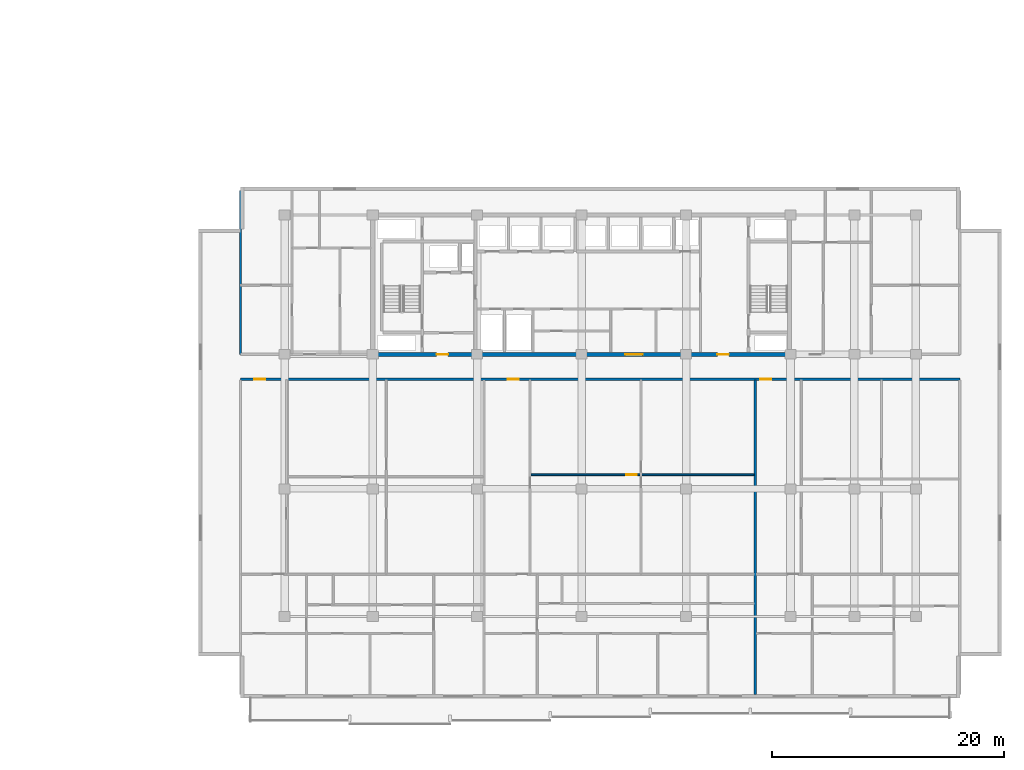
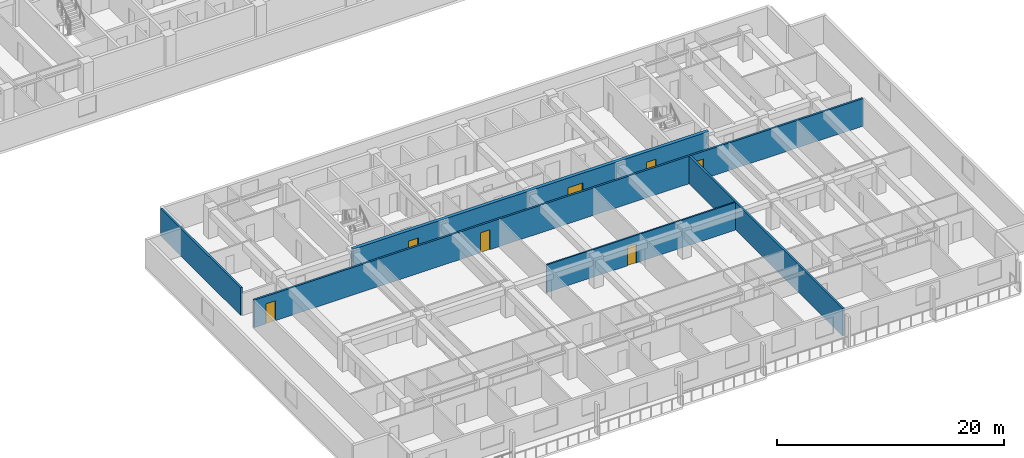
# One storey, part 5 of 23: 7 doors, 5 walls, 7 openings.
"""IFC4 building model written with IfcOpenShell, lengths in metres."""

from ifc_helpers import new_model, si_unit, direction, frame, frame_2d, origin, place, context, subcontext, project, spatial, rectangle, extrude, material, layer, layer_set, type_object, element, fill, save


model = new_model("IFC4")

# Units and contexts
model_context = context("Model", 3, precision=1e-05, world=origin(), true_north=direction((0.0, 1.0)))
body_context = subcontext(model_context, "Body", "Model", "MODEL_VIEW")
ifc_project = project(units=[si_unit("LENGTHUNIT", "METRE"), si_unit("AREAUNIT", "SQUARE_METRE"), si_unit("VOLUMEUNIT", "CUBIC_METRE"), si_unit("PLANEANGLEUNIT", "RADIAN"), si_unit("MASSUNIT", "GRAM", prefix="KILO")], contexts=[model_context])

# Site, building, storey
site_placement = place(None, origin())
site = spatial("IfcSite", under=ifc_project, at=site_placement, CompositionType="ELEMENT")
building_placement = place(site_placement, origin())
building = spatial("IfcBuilding", under=site, at=building_placement, Name="Korimba Cascade Residences", CompositionType="ELEMENT")
storey_placement = place(building_placement, frame((0.0, 0.0, 59.75)))
storey = spatial("IfcBuildingStorey", under=building, at=storey_placement, Name="L16", CompositionType="ELEMENT", Elevation=59.75)

# Wall, openings, doors
ifc_material_1 = material(Name="Concrete C65/80", Category="concrete")
ifc_layer_1 = layer(ifc_material_1, 0.35009765625)
ifc_layer_set_1 = layer_set([ifc_layer_1], Name="Concrete C65/80")
wall_type_1 = type_object("IfcWallType", Name="WAL-CORE-350", PredefinedType="SHEAR", material=ifc_layer_set_1)
wall_1_placement = place(storey_placement, frame((81.925048828125, 18.39990234375, 0.0), z_axis=(0.0, 0.0, 1.0), x_axis=(1.0, 0.0, 0.0)))
wall_1 = element("IfcWall", 1, at=wall_1_placement, inside=storey, type_object=wall_type_1, Name="L16 Core Shear Wall CW-L16-T2-S", PredefinedType="SHEAR", context=body_context, shape_type="SweptSolid", body=[
    extrude(rectangle(XDim=36.264892578125, YDim=0.35009765625, at=frame_2d((18.13232421875, 0.0))), origin(), (0.0, 0.0, 1.0), 3.25),
])
opening_1_placement = place(wall_1_placement, frame((5.675048828125, 0.0, 0.0)))
opening_1 = element("IfcOpeningElement", 2, at=opening_1_placement, cuts=wall_1, Name="Opening D-FD5", PredefinedType="OPENING", context=body_context, shape_type="SweptSolid", body=[
    extrude(rectangle(XDim=1.0, YDim=2.14990234375, at=frame_2d((0.5, 1.074951171875))), frame((0.0, 0.18505859375, 0.0), z_axis=(0.0, -1.0, 0.0), x_axis=(1.0, 0.0, 0.0)), (0.0, 0.0, 1.0), 0.3701171875),
])
opening_2_placement = place(wall_1_placement, frame((21.925048828125, 0.0, 0.0)))
opening_2 = element("IfcOpeningElement", 3, at=opening_2_placement, cuts=wall_1, Name="Opening D-FD8", PredefinedType="OPENING", context=body_context, shape_type="SweptSolid", body=[
    extrude(rectangle(XDim=1.5, YDim=2.199951171875, at=frame_2d((0.75, 1.10009765625))), frame((0.0, 0.18505859375, 0.0), z_axis=(0.0, -1.0, 0.0), x_axis=(1.0, 0.0, 0.0)), (0.0, 0.0, 1.0), 0.3701171875),
])
opening_3_placement = place(wall_1_placement, frame((29.875, 0.0, 0.0)))
opening_3 = element("IfcOpeningElement", 4, at=opening_3_placement, cuts=wall_1, Name="Opening D-FD5", PredefinedType="OPENING", context=body_context, shape_type="SweptSolid", body=[
    extrude(rectangle(XDim=1.0, YDim=2.14990234375, at=frame_2d((0.5, 1.074951171875))), frame((0.0, 0.18505859375, 0.0), z_axis=(0.0, -1.0, 0.0), x_axis=(1.0, 0.0, 0.0)), (0.0, 0.0, 1.0), 0.3701171875),
])
ifc_material_2 = material(Name="Fire-Rated Acoustic Timber Vestibule Door", Category="wood")
door_type_1 = type_object("IfcDoorType", Name="DR-FD90-1000", OperationType="NOTDEFINED", PredefinedType="DOOR", material=ifc_material_2)
door_1_placement = place(opening_1_placement, origin())
door_1 = element("IfcDoor", 5, at=door_1_placement, inside=storey, type_object=door_type_1, Name="L16 T2 West Core Vestibule Fire Door", OperationType="SINGLE_SWING_LEFT", OverallHeight=2.14990234375, OverallWidth=1.0, PredefinedType="DOOR", context=body_context, shape_type="SweptSolid", body=[
    extrude(rectangle(XDim=1.0, YDim=2.14990234375, at=frame_2d((0.5, 1.074951171875))), frame((0.0, 0.02490234375, 0.0), z_axis=(0.0, -1.0, 0.0), x_axis=(1.0, 0.0, 0.0)), (0.0, 0.0, 1.0), 0.050048828125),
])
fill(opening_1, door_1)
door_2_placement = place(opening_3_placement, origin())
door_2 = element("IfcDoor", 6, at=door_2_placement, inside=storey, type_object=door_type_1, Name="L16 T2 East Stair Vestibule Fire Door", OperationType="SINGLE_SWING_RIGHT", OverallHeight=2.14990234375, OverallWidth=1.0, PredefinedType="DOOR", context=body_context, shape_type="SweptSolid", body=[
    extrude(rectangle(XDim=1.0, YDim=2.14990234375, at=frame_2d((0.5, 1.074951171875))), frame((0.0, 0.02490234375, 0.0), z_axis=(0.0, -1.0, 0.0), x_axis=(1.0, 0.0, 0.0)), (0.0, 0.0, 1.0), 0.050048828125),
])
fill(opening_3, door_2)
ifc_material_3 = material(Name="Fire-Rated Glazed Lift Lobby Double Door", Category="glass")
door_type_2 = type_object("IfcDoorType", Name="DR-FD90-1500", OperationType="NOTDEFINED", PredefinedType="DOOR", material=ifc_material_3)
door_3_placement = place(opening_2_placement, origin())
door_3 = element("IfcDoor", 7, at=door_3_placement, inside=storey, type_object=door_type_2, Name="L16 T2 Lift Lobby Fire Door", OperationType="DOUBLE_DOOR_SINGLE_SWING", OverallHeight=2.199951171875, OverallWidth=1.5, PredefinedType="DOOR", context=body_context, shape_type="SweptSolid", body=[
    extrude(rectangle(XDim=1.5, YDim=2.199951171875, at=frame_2d((0.75, 1.10009765625))), frame((0.0, 0.02490234375, 0.0), z_axis=(0.0, -1.0, 0.0), x_axis=(1.0, 0.0, 0.0)), (0.0, 0.0, 1.0), 0.050048828125),
])
fill(opening_2, door_3)

# Walls
ifc_material_4 = material(Name="Precast concrete C40/50", Category="concrete")
ifc_layer_2 = layer(ifc_material_4, 0.199951171875)
ifc_layer_set_2 = layer_set([ifc_layer_2], Name="Precast concrete C40/50")
wall_type_2 = type_object("IfcWallType", Name="WAL-IT-200", PredefinedType="PARTITIONING", material=ifc_layer_set_2)
wall_2_placement = place(storey_placement, frame((70.699951171875, 18.39990234375, 0.0), z_axis=(0.0, 0.0, 1.0), x_axis=(0.0, 1.0, 0.0)))
element("IfcWall", 8, at=wall_2_placement, inside=storey, type_object=wall_type_2, Name="L16 Partition Wall WAL-L16-T2-FW-WL", PredefinedType="PARTITIONING", context=body_context, shape_type="SweptSolid", body=[
    extrude(rectangle(XDim=14.10009765625, YDim=0.199951171875, at=frame_2d((7.050048828125, 0.0))), origin(), (0.0, 0.0, 1.0), 2.969970703125),
])
wall_3_placement = place(storey_placement, frame((115.055908203125, -10.89990234375, 0.0), z_axis=(0.0, 0.0, 1.0), x_axis=(0.0, 1.0, 0.0)))
element("IfcWall", 9, at=wall_3_placement, inside=storey, type_object=wall_type_2, Name="L16 Partition Wall WAL-L16-T2-DEM-2", PredefinedType="PARTITIONING", context=body_context, shape_type="SweptSolid", body=[
    extrude(rectangle(XDim=27.06982421875, YDim=0.199951171875, at=frame_2d((13.534912109375, 0.0))), origin(), (0.0, 0.0, 1.0), 2.969970703125),
])

# Wall, openings, doors
wall_4_placement = place(storey_placement, frame((70.699951171875, 16.25, 0.0), z_axis=(0.0, 0.0, 1.0), x_axis=(1.0, 0.0, 0.0)))
wall_4 = element("IfcWall", 10, at=wall_4_placement, inside=storey, type_object=wall_type_2, Name="L16 Partition Wall WAL-L16-T2-CORS", PredefinedType="PARTITIONING", context=body_context, shape_type="SweptSolid", body=[
    extrude(rectangle(XDim=62.0, YDim=0.199951171875, at=frame_2d((31.0, 0.0))), origin(), (0.0, 0.0, 1.0), 2.969970703125),
])
opening_4_placement = place(wall_4_placement, frame((1.18603515625, 0.0, 0.0)))
opening_4 = element("IfcOpeningElement", 11, at=opening_4_placement, cuts=wall_4, Name="Opening D-UN1", PredefinedType="OPENING", context=body_context, shape_type="SweptSolid", body=[
    extrude(rectangle(XDim=0.949951171875, YDim=2.14990234375, at=frame_2d((0.47509765625, 1.074951171875))), frame((0.0, 0.10986328125, 0.0), z_axis=(0.0, -1.0, 0.0), x_axis=(1.0, 0.0, 0.0)), (0.0, 0.0, 1.0), 0.219970703125),
])
opening_5_placement = place(wall_4_placement, frame((23.033447265625, 0.0, 0.0)))
opening_5 = element("IfcOpeningElement", 12, at=opening_5_placement, cuts=wall_4, Name="Opening D-UN1", PredefinedType="OPENING", context=body_context, shape_type="SweptSolid", body=[
    extrude(rectangle(XDim=0.949951171875, YDim=2.14990234375, at=frame_2d((0.47509765625, 1.074951171875))), frame((0.0, 0.10986328125, 0.0), z_axis=(0.0, -1.0, 0.0), x_axis=(1.0, 0.0, 0.0)), (0.0, 0.0, 1.0), 0.219970703125),
])
opening_6_placement = place(wall_4_placement, frame((44.773681640625, 0.0, 0.0)))
opening_6 = element("IfcOpeningElement", 13, at=opening_6_placement, cuts=wall_4, Name="Opening D-UN1", PredefinedType="OPENING", context=body_context, shape_type="SweptSolid", body=[
    extrude(rectangle(XDim=0.949951171875, YDim=2.14990234375, at=frame_2d((0.47509765625, 1.074951171875))), frame((0.0, 0.10986328125, 0.0), z_axis=(0.0, -1.0, 0.0), x_axis=(1.0, 0.0, 0.0)), (0.0, 0.0, 1.0), 0.219970703125),
])
ifc_material_5 = material(Name="Fire-Rated Hardwood Apartment Entrance Door", Category="wood")
door_type_3 = type_object("IfcDoorType", Name="DR-FD60-950", OperationType="NOTDEFINED", PredefinedType="DOOR", material=ifc_material_5)
door_4_placement = place(opening_4_placement, origin())
door_4 = element("IfcDoor", 14, at=door_4_placement, inside=storey, type_object=door_type_3, Name="Unit L16-T2-U01 Entrance Door", OperationType="SINGLE_SWING_LEFT", OverallHeight=2.14990234375, OverallWidth=0.949951171875, PredefinedType="DOOR", context=body_context, shape_type="SweptSolid", body=[
    extrude(rectangle(XDim=0.949951171875, YDim=2.14990234375, at=frame_2d((0.47509765625, 1.074951171875))), frame((0.0, 0.02490234375, 0.0), z_axis=(0.0, -1.0, 0.0), x_axis=(1.0, 0.0, 0.0)), (0.0, 0.0, 1.0), 0.050048828125),
])
fill(opening_4, door_4)
door_5_placement = place(opening_5_placement, origin())
door_5 = element("IfcDoor", 15, at=door_5_placement, inside=storey, type_object=door_type_3, Name="Unit L16-T2-U02 Entrance Door", OperationType="SINGLE_SWING_RIGHT", OverallHeight=2.14990234375, OverallWidth=0.949951171875, PredefinedType="DOOR", context=body_context, shape_type="SweptSolid", body=[
    extrude(rectangle(XDim=0.949951171875, YDim=2.14990234375, at=frame_2d((0.47509765625, 1.074951171875))), frame((0.0, 0.02490234375, 0.0), z_axis=(0.0, -1.0, 0.0), x_axis=(1.0, 0.0, 0.0)), (0.0, 0.0, 1.0), 0.050048828125),
])
fill(opening_5, door_5)
door_6_placement = place(opening_6_placement, origin())
door_6 = element("IfcDoor", 16, at=door_6_placement, inside=storey, type_object=door_type_3, Name="Unit L16-T2-U03 Entrance Door", OperationType="SINGLE_SWING_LEFT", OverallHeight=2.14990234375, OverallWidth=0.949951171875, PredefinedType="DOOR", context=body_context, shape_type="SweptSolid", body=[
    extrude(rectangle(XDim=0.949951171875, YDim=2.14990234375, at=frame_2d((0.47509765625, 1.074951171875))), frame((0.0, 0.02490234375, 0.0), z_axis=(0.0, -1.0, 0.0), x_axis=(1.0, 0.0, 0.0)), (0.0, 0.0, 1.0), 0.050048828125),
])
fill(opening_6, door_6)

# Wall, opening, door
ifc_material_6 = material(Name="Insulated Acoustic Stud Partition", Category="gypsum")
ifc_layer_3 = layer(ifc_material_6, 0.14990234375)
ifc_layer_set_3 = layer_set([ifc_layer_3], Name="Insulated Acoustic Stud Partition")
wall_type_3 = type_object("IfcWallType", Name="WAL-PART-150", PredefinedType="PARTITIONING", material=ifc_layer_set_3)
wall_5_placement = place(storey_placement, frame((95.718505859375, 8.02001953125, 0.0), z_axis=(0.0, 0.0, 1.0), x_axis=(1.0, 0.0, 0.0)))
wall_5 = element("IfcWall", 17, at=wall_5_placement, inside=storey, type_object=wall_type_3, Name="L16 Partition Wall WAL-L16-T2-U02-FMH", PredefinedType="PARTITIONING", context=body_context, shape_type="SweptSolid", body=[
    extrude(rectangle(XDim=19.25732421875, YDim=0.14990234375, at=frame_2d((9.628662109375, 0.0))), origin(), (0.0, 0.0, 1.0), 2.969970703125),
])
opening_7_placement = place(wall_5_placement, frame((8.24755859375, 0.0, 0.0)))
opening_7 = element("IfcOpeningElement", 18, at=opening_7_placement, cuts=wall_5, Name="Opening D-IN2", PredefinedType="OPENING", context=body_context, shape_type="SweptSolid", body=[
    extrude(rectangle(XDim=0.8798828125, YDim=2.06005859375, at=frame_2d((0.43994140625, 1.030029296875))), frame((0.0, 0.0849609375, 0.0), z_axis=(0.0, -1.0, 0.0), x_axis=(1.0, 0.0, 0.0)), (0.0, 0.0, 1.0), 0.169921875),
])
ifc_material_7 = material(Name="Acoustic Timber Bedroom Door", Category="wood")
door_type_4 = type_object("IfcDoorType", Name="DR-INT-880", OperationType="NOTDEFINED", PredefinedType="DOOR", material=ifc_material_7)
door_7_placement = place(opening_7_placement, origin())
door_7 = element("IfcDoor", 19, at=door_7_placement, inside=storey, type_object=door_type_4, Name="L16-T2-U02 Library Salon Door", OperationType="SINGLE_SWING_RIGHT", OverallHeight=2.06005859375, OverallWidth=0.8798828125, PredefinedType="DOOR", context=body_context, shape_type="SweptSolid", body=[
    extrude(rectangle(XDim=0.8798828125, YDim=2.06005859375, at=frame_2d((0.43994140625, 1.030029296875))), frame((0.0, 0.02490234375, 0.0), z_axis=(0.0, -1.0, 0.0), x_axis=(1.0, 0.0, 0.0)), (0.0, 0.0, 1.0), 0.050048828125),
])
fill(opening_7, door_7)

save(model, "model.ifc")
